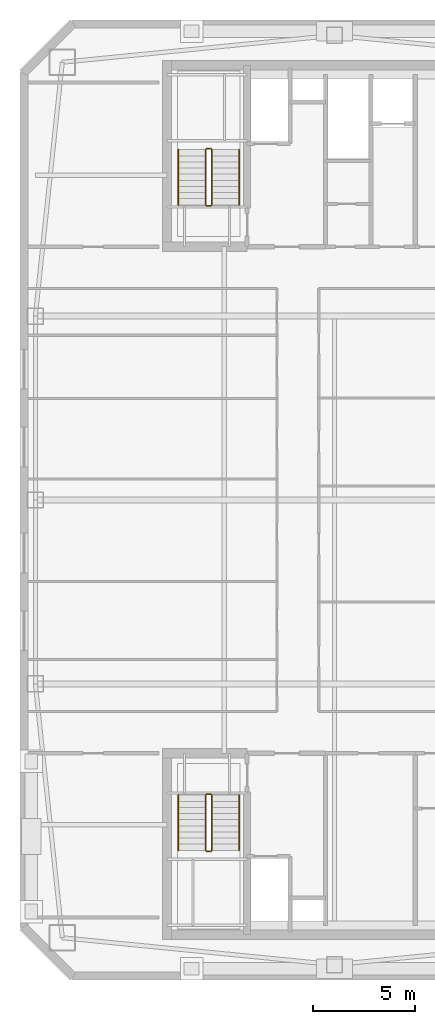
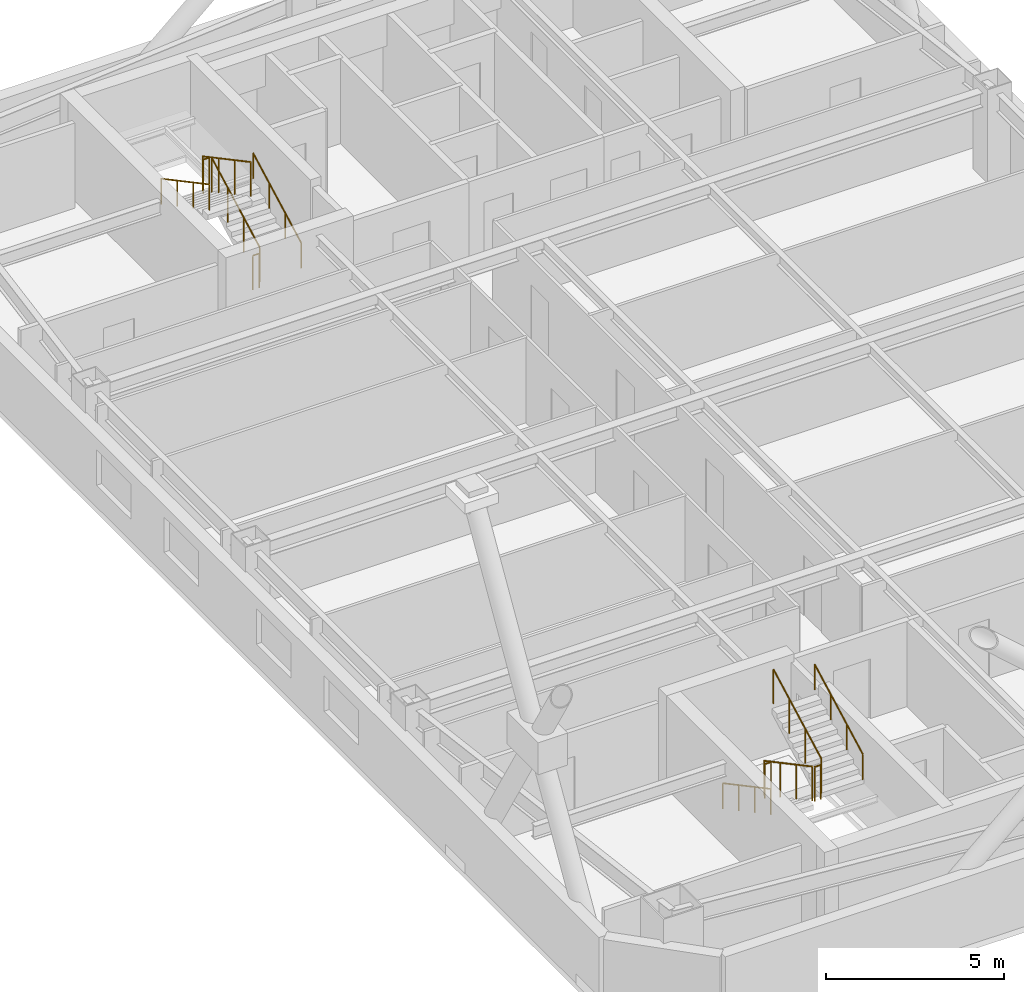
# One storey, part 6 of 6: 12 railings.
"""IFC4 building model written with IfcOpenShell, lengths in metres."""

from ifc_helpers import new_model, si_unit, direction, frame, origin, origin_2d, place, context, subcontext, project, spatial, circle, extrude, material, type_object, element, save


model = new_model("IFC4")

# Units and contexts
model_context = context("Model", 3, precision=1e-05, world=origin(), true_north=direction((0.0, 1.0)))
body_context = subcontext(model_context, "Body", "Model", "MODEL_VIEW")
ifc_project = project(units=[si_unit("LENGTHUNIT", "METRE"), si_unit("AREAUNIT", "SQUARE_METRE"), si_unit("VOLUMEUNIT", "CUBIC_METRE"), si_unit("PLANEANGLEUNIT", "RADIAN"), si_unit("MASSUNIT", "GRAM", prefix="KILO")], contexts=[model_context])

# Site, building, storey
site_placement = place(None, origin())
site = spatial("IfcSite", under=ifc_project, at=site_placement, CompositionType="ELEMENT")
building_placement = place(site_placement, origin())
building = spatial("IfcBuilding", under=site, at=building_placement, Name="Qiaolan Cultural Towers", CompositionType="ELEMENT")
storey_placement = place(building_placement, frame((0.0, 0.0, 263.199951171875)))
storey = spatial("IfcBuildingStorey", under=building, at=storey_placement, Name="L72", CompositionType="ELEMENT", Elevation=263.199951171875)

# Railings
ifc_material_1 = material(Name="Galvanized Painted Steel Stair Guardrail", Category="steel")
railing_type_1 = type_object("IfcRailingType", Name="RL-STAIR-GRD", PredefinedType="GUARDRAIL", material=ifc_material_1)
railing_1_placement = place(storey_placement, frame((23.68994140625, 19.550048828125, 0.16015625)))
element("IfcRailing", 1, at=railing_1_placement, inside=storey, type_object=railing_type_1, Name="L72 ST-W1 stair guard 1", PredefinedType="GUARDRAIL", context=body_context, shape_type="SweptSolid", body=[
    extrude(circle(Radius=0.02392578125, at=origin_2d()), frame((0.0, 0.0, 1.17578125), z_axis=(0.0, -0.882357358376, 0.470579952952), x_axis=(1.0, 0.0, 0.0)), (0.0, 0.0, 1.0), 3.059814453125),
    extrude(circle(Radius=0.02099609375, at=origin_2d()), origin(), (0.0, 0.0, 1.0), 1.15185546875),
    extrude(circle(Radius=0.02099609375, at=origin_2d()), frame((0.0, -0.89990234375, 0.47998046875)), (0.0, 0.0, 1.0), 1.15185546875),
    extrude(circle(Radius=0.02099609375, at=origin_2d()), frame((0.0, -1.800048828125, 0.9599609375)), (0.0, 0.0, 1.0), 1.15185546875),
    extrude(circle(Radius=0.02099609375, at=origin_2d()), frame((0.0, -2.699951171875, 1.43994140625)), (0.0, 0.0, 1.0), 1.15185546875),
])
railing_2_placement = place(storey_placement, frame((23.739990234375, 16.800048828125, 1.60009765625)))
element("IfcRailing", 2, at=railing_2_placement, inside=storey, type_object=railing_type_1, Name="L72 ST-W1 stair guard 2", PredefinedType="GUARDRAIL", context=body_context, shape_type="SweptSolid", body=[
    extrude(circle(Radius=0.02392578125, at=origin_2d()), frame((0.0, 0.0, 1.17578125), z_axis=(1.0, 0.0, 0.0), x_axis=(0.0, 1.0, 0.0)), (0.0, 0.0, 1.0), 0.199951171875),
    extrude(circle(Radius=0.02099609375, at=origin_2d()), origin(), (0.0, 0.0, 1.0), 1.15185546875),
    extrude(circle(Radius=0.02099609375, at=origin_2d()), frame((0.199951171875, 0.0, 0.0)), (0.0, 0.0, 1.0), 1.15185546875),
])
railing_3_placement = place(storey_placement, frame((23.989990234375, 16.85009765625, 1.760009765625)))
element("IfcRailing", 3, at=railing_3_placement, inside=storey, type_object=railing_type_1, Name="L72 ST-W1 stair guard 3", PredefinedType="GUARDRAIL", context=body_context, shape_type="SweptSolid", body=[
    extrude(circle(Radius=0.02392578125, at=origin_2d()), frame((0.0, 0.0, 1.17578125), z_axis=(0.0, 0.882357358376, 0.470579952952), x_axis=(-1.0, 0.0, 0.0)), (0.0, 0.0, 1.0), 3.059814453125),
    extrude(circle(Radius=0.02099609375, at=origin_2d()), origin(), (0.0, 0.0, 1.0), 1.15185546875),
    extrude(circle(Radius=0.02099609375, at=origin_2d()), frame((0.0, 0.89990234375, 0.47998046875)), (0.0, 0.0, 1.0), 1.15185546875),
    extrude(circle(Radius=0.02099609375, at=origin_2d()), frame((0.0, 1.800048828125, 0.9599609375)), (0.0, 0.0, 1.0), 1.15185546875),
    extrude(circle(Radius=0.02099609375, at=origin_2d()), frame((0.0, 2.699951171875, 1.43994140625)), (0.0, 0.0, 1.0), 1.15185546875),
])
railing_4_placement = place(storey_placement, frame((23.739990234375, 19.60009765625, 0.0)))
element("IfcRailing", 4, at=railing_4_placement, inside=storey, type_object=railing_type_1, Name="L72 ST-W1 stair guard 4", PredefinedType="GUARDRAIL", context=body_context, shape_type="SweptSolid", body=[
    extrude(circle(Radius=0.02392578125, at=origin_2d()), frame((0.0, 0.0, 1.17578125), z_axis=(1.0, 0.0, 0.0), x_axis=(0.0, 1.0, 0.0)), (0.0, 0.0, 1.0), 0.199951171875),
    extrude(circle(Radius=0.02099609375, at=origin_2d()), origin(), (0.0, 0.0, 1.0), 1.15185546875),
    extrude(circle(Radius=0.02099609375, at=origin_2d()), frame((0.199951171875, 0.0, 0.0)), (0.0, 0.0, 1.0), 1.15185546875),
])
railing_5_placement = place(storey_placement, frame((23.989990234375, 48.449951171875, 0.16015625)))
element("IfcRailing", 5, at=railing_5_placement, inside=storey, type_object=railing_type_1, Name="L72 ST-W2 stair guard 1", PredefinedType="GUARDRAIL", context=body_context, shape_type="SweptSolid", body=[
    extrude(circle(Radius=0.02392578125, at=origin_2d()), frame((0.0, 0.0, 1.17578125), z_axis=(0.0, 0.882357358376, 0.470579952952), x_axis=(-1.0, 0.0, 0.0)), (0.0, 0.0, 1.0), 3.059814453125),
    extrude(circle(Radius=0.02099609375, at=origin_2d()), origin(), (0.0, 0.0, 1.0), 1.15185546875),
    extrude(circle(Radius=0.02099609375, at=origin_2d()), frame((0.0, 0.89990234375, 0.47998046875)), (0.0, 0.0, 1.0), 1.15185546875),
    extrude(circle(Radius=0.02099609375, at=origin_2d()), frame((0.0, 1.800048828125, 0.9599609375)), (0.0, 0.0, 1.0), 1.15185546875),
    extrude(circle(Radius=0.02099609375, at=origin_2d()), frame((0.0, 2.699951171875, 1.43994140625)), (0.0, 0.0, 1.0), 1.15185546875),
])
railing_6_placement = place(storey_placement, frame((23.93994140625, 51.199951171875, 1.60009765625)))
element("IfcRailing", 6, at=railing_6_placement, inside=storey, type_object=railing_type_1, Name="L72 ST-W2 stair guard 2", PredefinedType="GUARDRAIL", context=body_context, shape_type="SweptSolid", body=[
    extrude(circle(Radius=0.02392578125, at=origin_2d()), frame((0.0, 0.0, 1.17578125), z_axis=(-1.0, 0.0, 0.0), x_axis=(0.0, -1.0, 0.0)), (0.0, 0.0, 1.0), 0.199951171875),
    extrude(circle(Radius=0.02099609375, at=origin_2d()), origin(), (0.0, 0.0, 1.0), 1.15185546875),
    extrude(circle(Radius=0.02099609375, at=origin_2d()), frame((-0.199951171875, 0.0, 0.0)), (0.0, 0.0, 1.0), 1.15185546875),
])
railing_7_placement = place(storey_placement, frame((23.68994140625, 51.14990234375, 1.760009765625)))
element("IfcRailing", 7, at=railing_7_placement, inside=storey, type_object=railing_type_1, Name="L72 ST-W2 stair guard 3", PredefinedType="GUARDRAIL", context=body_context, shape_type="SweptSolid", body=[
    extrude(circle(Radius=0.02392578125, at=origin_2d()), frame((0.0, 0.0, 1.17578125), z_axis=(0.0, -0.882357358376, 0.470579952952), x_axis=(1.0, 0.0, 0.0)), (0.0, 0.0, 1.0), 3.059814453125),
    extrude(circle(Radius=0.02099609375, at=origin_2d()), origin(), (0.0, 0.0, 1.0), 1.15185546875),
    extrude(circle(Radius=0.02099609375, at=origin_2d()), frame((0.0, -0.89990234375, 0.47998046875)), (0.0, 0.0, 1.0), 1.15185546875),
    extrude(circle(Radius=0.02099609375, at=origin_2d()), frame((0.0, -1.800048828125, 0.9599609375)), (0.0, 0.0, 1.0), 1.15185546875),
    extrude(circle(Radius=0.02099609375, at=origin_2d()), frame((0.0, -2.699951171875, 1.43994140625)), (0.0, 0.0, 1.0), 1.15185546875),
])
railing_8_placement = place(storey_placement, frame((23.93994140625, 48.39990234375, 0.0)))
element("IfcRailing", 8, at=railing_8_placement, inside=storey, type_object=railing_type_1, Name="L72 ST-W2 stair guard 4", PredefinedType="GUARDRAIL", context=body_context, shape_type="SweptSolid", body=[
    extrude(circle(Radius=0.02392578125, at=origin_2d()), frame((0.0, 0.0, 1.17578125), z_axis=(-1.0, 0.0, 0.0), x_axis=(0.0, -1.0, 0.0)), (0.0, 0.0, 1.0), 0.199951171875),
    extrude(circle(Radius=0.02099609375, at=origin_2d()), origin(), (0.0, 0.0, 1.0), 1.15185546875),
    extrude(circle(Radius=0.02099609375, at=origin_2d()), frame((-0.199951171875, 0.0, 0.0)), (0.0, 0.0, 1.0), 1.15185546875),
])
ifc_material_2 = material(Name="Stainless Steel S30408 Tubular Handrail", Category="steel")
railing_type_2 = type_object("IfcRailingType", Name="RL-STAIR-HR", PredefinedType="HANDRAIL", material=ifc_material_2)
railing_9_placement = place(storey_placement, frame((22.35009765625, 19.550048828125, 0.16015625)))
element("IfcRailing", 9, at=railing_9_placement, inside=storey, type_object=railing_type_2, Name="L72 ST-W1 stair handrail 1", PredefinedType="HANDRAIL", context=body_context, shape_type="SweptSolid", body=[
    extrude(circle(Radius=0.02392578125, at=origin_2d()), frame((0.0, 0.0, 0.8759765625), z_axis=(0.0, -0.882357358376, 0.470579952952), x_axis=(1.0, 0.0, 0.0)), (0.0, 0.0, 1.0), 3.059814453125),
    extrude(circle(Radius=0.02099609375, at=origin_2d()), origin(), (0.0, 0.0, 1.0), 0.851806640625),
    extrude(circle(Radius=0.02099609375, at=origin_2d()), frame((0.0, -0.89990234375, 0.47998046875)), (0.0, 0.0, 1.0), 0.851806640625),
    extrude(circle(Radius=0.02099609375, at=origin_2d()), frame((0.0, -1.800048828125, 0.9599609375)), (0.0, 0.0, 1.0), 0.851806640625),
    extrude(circle(Radius=0.02099609375, at=origin_2d()), frame((0.0, -2.699951171875, 1.43994140625)), (0.0, 0.0, 1.0), 0.851806640625),
])
for number, where, name in (
    (10, (25.330078125, 16.85009765625, 1.760009765625), "L72 ST-W1 stair handrail 2"),
    (11, (25.330078125, 48.449951171875, 0.16015625), "L72 ST-W2 stair handrail 1"),
):
    element("IfcRailing", number, at=place(storey_placement, frame(where)), inside=storey, type_object=railing_type_2, Name=name, PredefinedType="HANDRAIL", context=body_context, shape_type="SweptSolid", body=[
        extrude(circle(Radius=0.02392578125, at=origin_2d()), frame((0.0, 0.0, 0.8759765625), z_axis=(0.0, 0.882357358376, 0.470579952952), x_axis=(-1.0, 0.0, 0.0)), (0.0, 0.0, 1.0), 3.059814453125),
        extrude(circle(Radius=0.02099609375, at=origin_2d()), origin(), (0.0, 0.0, 1.0), 0.851806640625),
        extrude(circle(Radius=0.02099609375, at=origin_2d()), frame((0.0, 0.89990234375, 0.47998046875)), (0.0, 0.0, 1.0), 0.851806640625),
        extrude(circle(Radius=0.02099609375, at=origin_2d()), frame((0.0, 1.800048828125, 0.9599609375)), (0.0, 0.0, 1.0), 0.851806640625),
        extrude(circle(Radius=0.02099609375, at=origin_2d()), frame((0.0, 2.699951171875, 1.43994140625)), (0.0, 0.0, 1.0), 0.851806640625),
    ])
railing_10_placement = place(storey_placement, frame((22.35009765625, 51.14990234375, 1.760009765625)))
element("IfcRailing", 12, at=railing_10_placement, inside=storey, type_object=railing_type_2, Name="L72 ST-W2 stair handrail 2", PredefinedType="HANDRAIL", context=body_context, shape_type="SweptSolid", body=[
    extrude(circle(Radius=0.02392578125, at=origin_2d()), frame((0.0, 0.0, 0.8759765625), z_axis=(0.0, -0.882357358376, 0.470579952952), x_axis=(1.0, 0.0, 0.0)), (0.0, 0.0, 1.0), 3.059814453125),
    extrude(circle(Radius=0.02099609375, at=origin_2d()), origin(), (0.0, 0.0, 1.0), 0.851806640625),
    extrude(circle(Radius=0.02099609375, at=origin_2d()), frame((0.0, -0.89990234375, 0.47998046875)), (0.0, 0.0, 1.0), 0.851806640625),
    extrude(circle(Radius=0.02099609375, at=origin_2d()), frame((0.0, -1.800048828125, 0.9599609375)), (0.0, 0.0, 1.0), 0.851806640625),
    extrude(circle(Radius=0.02099609375, at=origin_2d()), frame((0.0, -2.699951171875, 1.43994140625)), (0.0, 0.0, 1.0), 0.851806640625),
])

save(model, "model.ifc")
